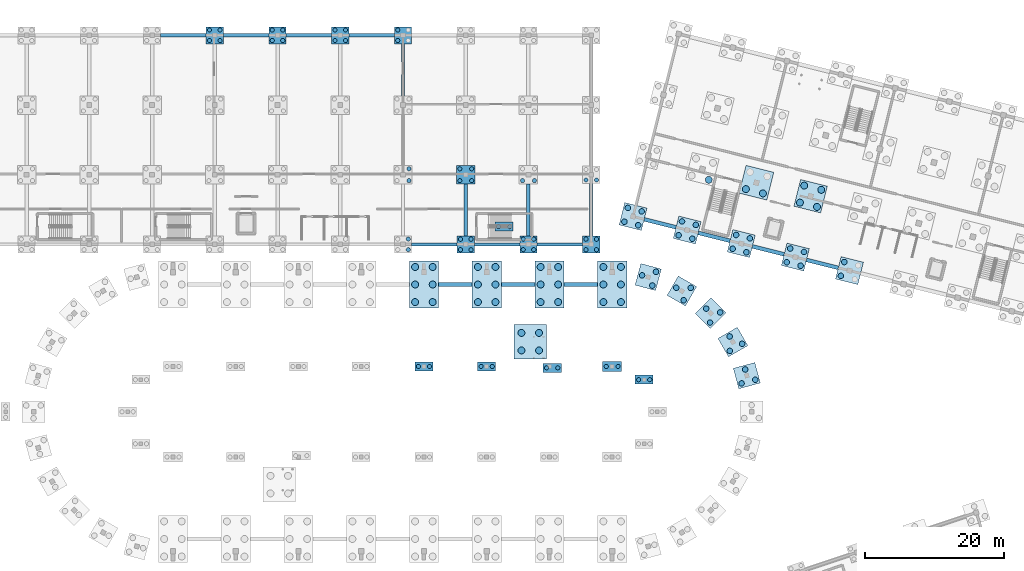
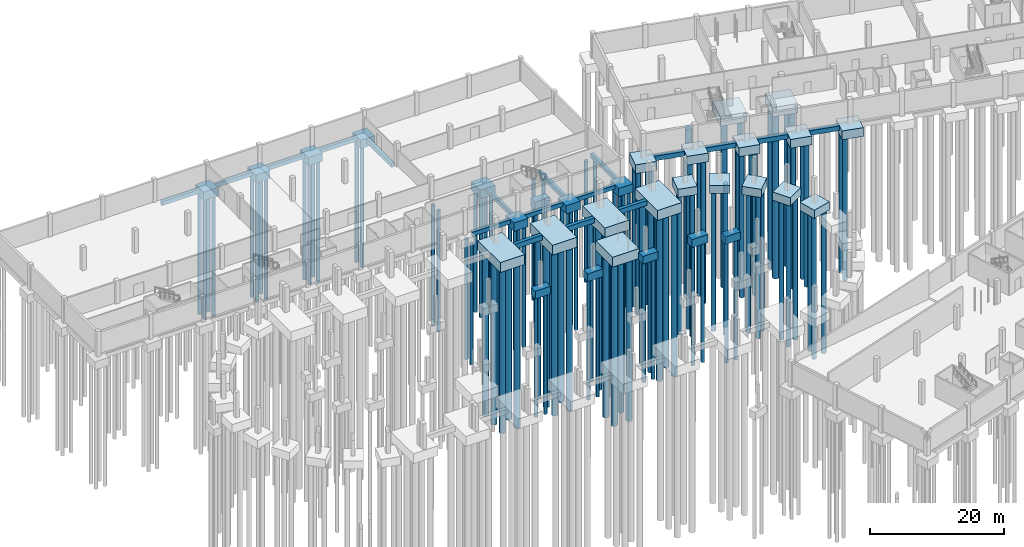
# One storey, part 4 of 36: 118 piles, 49 footings.
"""IFC4 building model written with IfcOpenShell, lengths in metres."""

from ifc_helpers import new_model, si_unit, derived_unit, direction, frame, origin, origin_2d, place, context, subcontext, project, spatial, rectangle, circle, extrude, material, material_profile, profile_set, type_object, element, save


model = new_model("IFC4")

# Units and contexts
model_context = context("Model", 3, precision=1e-05, world=origin(), true_north=direction((0.0, 1.0)))
body_context = subcontext(model_context, "Body", "Model", "MODEL_VIEW")
ifc_project = project(units=[si_unit("LENGTHUNIT", "METRE"), si_unit("AREAUNIT", "SQUARE_METRE"), si_unit("VOLUMEUNIT", "CUBIC_METRE"), si_unit("PLANEANGLEUNIT", "RADIAN"), si_unit("MASSUNIT", "GRAM", prefix="KILO"), si_unit("THERMODYNAMICTEMPERATUREUNIT", "KELVIN"), si_unit("TIMEUNIT", "SECOND"), derived_unit("THERMALTRANSMITTANCEUNIT", [(si_unit("MASSUNIT", "GRAM", prefix="KILO"), 1), (si_unit("THERMODYNAMICTEMPERATUREUNIT", "KELVIN"), -1), (si_unit("TIMEUNIT", "SECOND"), -3)])], contexts=[model_context])

# Site, building, storey
site_placement = place(None, origin())
site = spatial("IfcSite", under=ifc_project, at=site_placement, CompositionType="ELEMENT")
building_placement = place(site_placement, origin())
building = spatial("IfcBuilding", under=site, at=building_placement, Name="Cambertide Market Hall", CompositionType="ELEMENT")
storey_placement = place(building_placement, frame((0.0, 0.0, -4.199951171875)))
storey = spatial("IfcBuildingStorey", under=building, at=storey_placement, Name="B1", CompositionType="ELEMENT", Elevation=-4.199951171875)

# Piles
ifc_material_1 = material(Name="Concrete B35", Category="concrete")
ifc_material_profile_1 = material_profile(ifc_material_1, circle(Radius=0.5, at=origin_2d()), Name="BP D1000")
ifc_profile_set_1 = profile_set([ifc_material_profile_1], Name="Concrete B35")
pile_type_1 = type_object("IfcPileType", Name="Bored Pile BP-1000", PredefinedType="BORED", material=ifc_profile_set_1)
for number, where, z_axis, x_axis, name in (
    (1, (76.739990234375, 87.72998046875, -2.10009765625), (0.0, 0.0, -1.0), (1.0, 0.0, 0.0), "Basement 1 Bored Pile V1-N5-1"),
    (2, (79.260009765625, 87.72998046875, -2.10009765625), (0.0, 0.0, -1.0), (1.0, 0.0, 0.0), "Basement 1 Bored Pile V1-N5-2"),
    (3, (76.739990234375, 90.25, -2.10009765625), (0.0, 0.0, -1.0), (1.0, 0.0, 0.0), "Basement 1 Bored Pile V1-N5-3"),
    (4, (79.260009765625, 90.25, -2.10009765625), (0.0, 0.0, -1.0), (1.0, 0.0, 0.0), "Basement 1 Bored Pile V1-N5-4"),
    (5, (76.739990234375, 92.77001953125, -2.10009765625), (0.0, 0.0, -1.0), (1.0, 0.0, 0.0), "Basement 1 Bored Pile V1-N5-5"),
    (6, (79.260009765625, 92.77001953125, -2.10009765625), (0.0, 0.0, -1.0), (1.0, 0.0, 0.0), "Basement 1 Bored Pile V1-N5-6"),
    (7, (85.739990234375, 87.72998046875, -2.10009765625), (0.0, 0.0, -1.0), (1.0, 0.0, 0.0), "Basement 1 Bored Pile V1-N6-1"),
    (8, (88.260009765625, 87.72998046875, -2.10009765625), (0.0, 0.0, -1.0), (1.0, 0.0, 0.0), "Basement 1 Bored Pile V1-N6-2"),
    (9, (85.739990234375, 90.25, -2.10009765625), (0.0, 0.0, -1.0), (1.0, 0.0, 0.0), "Basement 1 Bored Pile V1-N6-3"),
    (10, (88.260009765625, 90.25, -2.10009765625), (0.0, 0.0, -1.0), (1.0, 0.0, 0.0), "Basement 1 Bored Pile V1-N6-4"),
    (11, (85.739990234375, 92.77001953125, -2.10009765625), (0.0, 0.0, -1.0), (1.0, 0.0, 0.0), "Basement 1 Bored Pile V1-N6-5"),
    (12, (88.260009765625, 92.77001953125, -2.10009765625), (0.0, 0.0, -1.0), (1.0, 0.0, 0.0), "Basement 1 Bored Pile V1-N6-6"),
    (13, (94.739990234375, 87.72998046875, -2.10009765625), (0.0, 0.0, -1.0), (1.0, 0.0, 0.0), "Basement 1 Bored Pile V1-N7-1"),
    (14, (97.260009765625, 87.72998046875, -2.10009765625), (0.0, 0.0, -1.0), (1.0, 0.0, 0.0), "Basement 1 Bored Pile V1-N7-2"),
    (15, (94.739990234375, 90.25, -2.10009765625), (0.0, 0.0, -1.0), (1.0, 0.0, 0.0), "Basement 1 Bored Pile V1-N7-3"),
    (16, (97.260009765625, 90.25, -2.10009765625), (0.0, 0.0, -1.0), (1.0, 0.0, 0.0), "Basement 1 Bored Pile V1-N7-4"),
    (17, (94.739990234375, 92.77001953125, -2.10009765625), (0.0, 0.0, -1.0), (1.0, 0.0, 0.0), "Basement 1 Bored Pile V1-N7-5"),
    (18, (97.260009765625, 92.77001953125, -2.10009765625), (0.0, 0.0, -1.0), (1.0, 0.0, 0.0), "Basement 1 Bored Pile V1-N7-6"),
    (19, (103.739990234375, 87.72998046875, -2.10009765625), (0.0, 0.0, -1.0), (1.0, 0.0, 0.0), "Basement 1 Bored Pile V1-N8-1"),
    (20, (106.260009765625, 87.72998046875, -2.10009765625), (0.0, 0.0, -1.0), (1.0, 0.0, 0.0), "Basement 1 Bored Pile V1-N8-2"),
    (21, (103.739990234375, 90.25, -2.10009765625), (0.0, 0.0, -1.0), (1.0, 0.0, 0.0), "Basement 1 Bored Pile V1-N8-3"),
    (22, (106.260009765625, 90.25, -2.10009765625), (0.0, 0.0, -1.0), (1.0, 0.0, 0.0), "Basement 1 Bored Pile V1-N8-4"),
    (23, (103.739990234375, 92.77001953125, -2.10009765625), (0.0, 0.0, -1.0), (1.0, 0.0, 0.0), "Basement 1 Bored Pile V1-N8-5"),
    (24, (106.260009765625, 92.77001953125, -2.10009765625), (0.0, 0.0, -1.0), (1.0, 0.0, 0.0), "Basement 1 Bored Pile V1-N8-6"),
    (25, (118.86083984375, 105.262939453125, -2.0), (0.0, 0.0, -1.0), (1.0, 0.0, 0.0), "Basement 1 Bored Pile V4-2-2-2"),
    (26, (124.17724609375, 103.933837890625, -2.10009765625), (0.0, 0.0, -1.0), (1.0, 0.0, 0.0), "Basement 1 Bored Pile V4-3-2-1"),
    (27, (126.621826171875, 103.32275390625, -2.10009765625), (0.0, 0.0, -1.0), (1.0, 0.0, 0.0), "Basement 1 Bored Pile V4-3-2-2"),
    (28, (131.938232421875, 101.99365234375, -2.0), (0.0, 0.0, -1.0), (1.0, 0.0, 0.0), "Basement 1 Bored Pile V4-4-2-1"),
    (29, (134.383056640625, 101.382568359375, -2.0), (0.0, 0.0, -1.0), (1.0, 0.0, 0.0), "Basement 1 Bored Pile V4-4-2-2"),
    (30, (132.549560546875, 104.4384765625, -2.0), (0.0, 0.0, -1.0), (1.0, 0.0, 0.0), "Basement 1 Bored Pile V4-4-2-3"),
    (31, (134.994140625, 103.8271484375, -2.0), (0.0, 0.0, -1.0), (1.0, 0.0, 0.0), "Basement 1 Bored Pile V4-4-2-4"),
    (32, (91.989990234375, 80.7900390625, -1.949951171875), (0.0, 0.0, -1.0), (1.0, 0.0, 0.0), "Basement 1 Feature Stair Bored Pile ST11-1"),
    (33, (94.510009765625, 80.7900390625, -1.949951171875), (0.0, 0.0, -1.0), (1.0, 0.0, 0.0), "Basement 1 Feature Stair Bored Pile ST11-2"),
    (34, (91.989990234375, 83.31005859375, -1.949951171875), (0.0, 0.0, -1.0), (1.0, 0.0, 0.0), "Basement 1 Feature Stair Bored Pile ST11-3"),
    (35, (94.510009765625, 83.31005859375, -1.949951171875), (0.0, 0.0, -1.0), (1.0, 0.0, 0.0), "Basement 1 Feature Stair Bored Pile ST11-4"),
):
    element("IfcPile", number, at=place(storey_placement, frame(where, z_axis=z_axis, x_axis=x_axis)), inside=storey, type_object=pile_type_1, Name=name, PredefinedType="BORED", context=body_context, shape_type="SweptSolid", body=[
        extrude(circle(Radius=0.5, at=origin_2d()), origin(), (0.0, 0.0, 1.0), 29.800048828125),
    ])
ifc_material_2 = material(Name="Concrete B35", Category="concrete")
ifc_material_profile_2 = material_profile(ifc_material_2, circle(Radius=0.300048828125, at=origin_2d()), Name="BP D600")
ifc_profile_set_2 = profile_set([ifc_material_profile_2], Name="Concrete B35")
pile_type_2 = type_object("IfcPileType", Name="Bored Pile BP-600", PredefinedType="BORED", material=ifc_profile_set_2)
for number, where, z_axis, x_axis, name in (
    (36, (77.199951171875, 78.5, -1.699951171875), (0.0, 0.0, -1.0), (1.0, 0.0, 0.0), "Basement 1 Bored Pile V1-MN5-1"),
    (37, (78.800048828125, 78.5, -1.699951171875), (0.0, 0.0, -1.0), (1.0, 0.0, 0.0), "Basement 1 Bored Pile V1-MN5-2"),
    (38, (86.199951171875, 78.5, -1.699951171875), (0.0, 0.0, -1.0), (1.0, 0.0, 0.0), "Basement 1 Bored Pile V1-MN6-1"),
    (39, (87.800048828125, 78.5, -1.699951171875), (0.0, 0.0, -1.0), (1.0, 0.0, 0.0), "Basement 1 Bored Pile V1-MN6-2"),
    (40, (95.60009765625, 78.300048828125, -1.699951171875), (0.0, 0.0, -1.0), (1.0, 0.0, 0.0), "Basement 1 Bored Pile V1-MN7-1"),
    (41, (97.199951171875, 78.300048828125, -1.699951171875), (0.0, 0.0, -1.0), (1.0, 0.0, 0.0), "Basement 1 Bored Pile V1-MN7-2"),
    (42, (104.14990234375, 78.5, -1.75), (0.0, 0.0, -1.0), (1.0, 0.0, 0.0), "Basement 1 Bored Pile V1-MN8-1"),
    (43, (105.85009765625, 78.5, -1.75), (0.0, 0.0, -1.0), (1.0, 0.0, 0.0), "Basement 1 Bored Pile V1-MN8-2"),
    (44, (108.796142578125, 76.59619140625, -1.699951171875), (0.0, 0.0, -1.0), (1.0, 0.0, 0.0), "Basement 1 Bored Pile V1-ME18-1"),
    (45, (110.396240234375, 76.59619140625, -1.699951171875), (0.0, 0.0, -1.0), (1.0, 0.0, 0.0), "Basement 1 Bored Pile V1-ME18-2"),
    (46, (47.2451171875, 125.2451171875, -1.800048828125), (0.0, 0.0, -1.0), (1.0, 0.0, 0.0), "Basement 1 Bored Pile V2-5-4-1"),
    (47, (48.7548828125, 125.2451171875, -1.800048828125), (0.0, 0.0, -1.0), (1.0, 0.0, 0.0), "Basement 1 Bored Pile V2-5-4-2"),
    (48, (47.2451171875, 126.7548828125, -1.800048828125), (0.0, 0.0, -1.0), (1.0, 0.0, 0.0), "Basement 1 Bored Pile V2-5-4-3"),
    (49, (48.7548828125, 126.7548828125, -1.800048828125), (0.0, 0.0, -1.0), (1.0, 0.0, 0.0), "Basement 1 Bored Pile V2-5-4-4"),
    (50, (56.2451171875, 125.2451171875, -1.800048828125), (0.0, 0.0, -1.0), (1.0, 0.0, 0.0), "Basement 1 Bored Pile V2-6-4-1"),
    (51, (57.7548828125, 125.2451171875, -1.800048828125), (0.0, 0.0, -1.0), (1.0, 0.0, 0.0), "Basement 1 Bored Pile V2-6-4-2"),
    (52, (56.2451171875, 126.7548828125, -1.800048828125), (0.0, 0.0, -1.0), (1.0, 0.0, 0.0), "Basement 1 Bored Pile V2-6-4-3"),
    (53, (57.7548828125, 126.7548828125, -1.800048828125), (0.0, 0.0, -1.0), (1.0, 0.0, 0.0), "Basement 1 Bored Pile V2-6-4-4"),
    (54, (65.2451171875, 125.2451171875, -1.800048828125), (0.0, 0.0, -1.0), (1.0, 0.0, 0.0), "Basement 1 Bored Pile V2-7-4-1"),
    (55, (66.7548828125, 125.2451171875, -1.800048828125), (0.0, 0.0, -1.0), (1.0, 0.0, 0.0), "Basement 1 Bored Pile V2-7-4-2"),
    (56, (65.2451171875, 126.7548828125, -1.800048828125), (0.0, 0.0, -1.0), (1.0, 0.0, 0.0), "Basement 1 Bored Pile V2-7-4-3"),
    (57, (66.7548828125, 126.7548828125, -1.800048828125), (0.0, 0.0, -1.0), (1.0, 0.0, 0.0), "Basement 1 Bored Pile V2-7-4-4"),
    (58, (75.7548828125, 95.2451171875, -1.800048828125), (0.0, 0.0, -1.0), (1.0, 0.0, 0.0), "Basement 1 Bored Pile V2-8-1-2"),
    (59, (75.7548828125, 96.7548828125, -1.800048828125), (0.0, 0.0, -1.0), (1.0, 0.0, 0.0), "Basement 1 Bored Pile V2-8-1-4"),
    (60, (75.85009765625, 105.14990234375, -1.85009765625), (0.0, 0.0, -1.0), (1.0, 0.0, 0.0), "Basement 1 Bored Pile V2-8-2-2"),
    (61, (75.85009765625, 106.85009765625, -1.85009765625), (0.0, 0.0, -1.0), (1.0, 0.0, 0.0), "Basement 1 Bored Pile V2-8-2-4"),
    (62, (74.2451171875, 125.2451171875, -1.800048828125), (0.0, 0.0, -1.0), (1.0, 0.0, 0.0), "Basement 1 Bored Pile V2-8-4-1"),
    (63, (74.2451171875, 126.7548828125, -1.800048828125), (0.0, 0.0, -1.0), (1.0, 0.0, 0.0), "Basement 1 Bored Pile V2-8-4-3"),
    (64, (83.2451171875, 95.2451171875, -1.800048828125), (0.0, 0.0, -1.0), (1.0, 0.0, 0.0), "Basement 1 Bored Pile V2-9-1-1"),
    (65, (84.7548828125, 95.2451171875, -1.800048828125), (0.0, 0.0, -1.0), (1.0, 0.0, 0.0), "Basement 1 Bored Pile V2-9-1-2"),
    (66, (83.2451171875, 96.7548828125, -1.800048828125), (0.0, 0.0, -1.0), (1.0, 0.0, 0.0), "Basement 1 Bored Pile V2-9-1-3"),
    (67, (84.7548828125, 96.7548828125, -1.800048828125), (0.0, 0.0, -1.0), (1.0, 0.0, 0.0), "Basement 1 Bored Pile V2-9-1-4"),
    (68, (83.14990234375, 105.14990234375, -1.85009765625), (0.0, 0.0, -1.0), (1.0, 0.0, 0.0), "Basement 1 Bored Pile V2-9-2-1"),
    (69, (84.85009765625, 105.14990234375, -1.85009765625), (0.0, 0.0, -1.0), (1.0, 0.0, 0.0), "Basement 1 Bored Pile V2-9-2-2"),
    (70, (83.14990234375, 106.85009765625, -1.85009765625), (0.0, 0.0, -1.0), (1.0, 0.0, 0.0), "Basement 1 Bored Pile V2-9-2-3"),
    (71, (84.85009765625, 106.85009765625, -1.85009765625), (0.0, 0.0, -1.0), (1.0, 0.0, 0.0), "Basement 1 Bored Pile V2-9-2-4"),
    (72, (92.2451171875, 95.2451171875, -1.800048828125), (0.0, 0.0, -1.0), (1.0, 0.0, 0.0), "Basement 1 Bored Pile V2-10-1-1"),
    (73, (93.7548828125, 95.2451171875, -1.800048828125), (0.0, 0.0, -1.0), (1.0, 0.0, 0.0), "Basement 1 Bored Pile V2-10-1-2"),
    (74, (92.2451171875, 96.7548828125, -1.800048828125), (0.0, 0.0, -1.0), (1.0, 0.0, 0.0), "Basement 1 Bored Pile V2-10-1-3"),
    (75, (93.7548828125, 96.7548828125, -1.800048828125), (0.0, 0.0, -1.0), (1.0, 0.0, 0.0), "Basement 1 Bored Pile V2-10-1-4"),
    (76, (92.14990234375, 105.14990234375, -1.85009765625), (0.0, 0.0, -1.0), (1.0, 0.0, 0.0), "Basement 1 Bored Pile V2-10-2-1"),
    (77, (93.85009765625, 105.14990234375, -1.85009765625), (0.0, 0.0, -1.0), (1.0, 0.0, 0.0), "Basement 1 Bored Pile V2-10-2-2"),
    (78, (101.2451171875, 95.2451171875, -1.800048828125), (0.0, 0.0, -1.0), (1.0, 0.0, 0.0), "Basement 1 Bored Pile V2-11-1-1"),
    (79, (102.7548828125, 95.2451171875, -1.800048828125), (0.0, 0.0, -1.0), (1.0, 0.0, 0.0), "Basement 1 Bored Pile V2-11-1-2"),
    (80, (101.2451171875, 96.7548828125, -1.800048828125), (0.0, 0.0, -1.0), (1.0, 0.0, 0.0), "Basement 1 Bored Pile V2-11-1-3"),
    (81, (102.7548828125, 96.7548828125, -1.800048828125), (0.0, 0.0, -1.0), (1.0, 0.0, 0.0), "Basement 1 Bored Pile V2-11-1-4"),
    (82, (101.2451171875, 105.2451171875, -1.800048828125), (0.0, 0.0, -1.0), (1.0, 0.0, 0.0), "Basement 1 Bored Pile V2-11-2-1"),
    (83, (102.7548828125, 105.2451171875, -1.800048828125), (0.0, 0.0, -1.0), (1.0, 0.0, 0.0), "Basement 1 Bored Pile V2-11-2-2"),
    (84, (88.699951171875, 98.550048828125, -1.699951171875), (0.0, 0.0, -1.0), (1.0, 0.0, 0.0), "Basement 1 Bored Pile ST04-SUP-1"),
    (85, (90.300048828125, 98.550048828125, -1.699951171875), (0.0, 0.0, -1.0), (1.0, 0.0, 0.0), "Basement 1 Bored Pile ST04-SUP-2"),
):
    element("IfcPile", number, at=place(storey_placement, frame(where, z_axis=z_axis, x_axis=x_axis)), inside=storey, type_object=pile_type_2, Name=name, PredefinedType="BORED", context=body_context, shape_type="SweptSolid", body=[
        extrude(circle(Radius=0.300048828125, at=origin_2d()), origin(), (0.0, 0.0, 1.0), 22.0),
    ])
ifc_material_3 = material(Name="Concrete B35", Category="concrete")
ifc_material_profile_3 = material_profile(ifc_material_3, circle(Radius=0.39990234375, at=origin_2d()), Name="BP D800")
ifc_profile_set_3 = profile_set([ifc_material_profile_3], Name="Concrete B35")
pile_type_3 = type_object("IfcPileType", Name="Bored Pile BP-800", PredefinedType="BORED", material=ifc_profile_set_3)
for number, where, z_axis, x_axis, name in (
    (86, (123.56103515625, 76.062255859375, -1.800048828125), (0.0, 0.0, -1.0), (1.0, 0.0, 0.0), "Basement 1 Bored Pile V1-AE14-1"),
    (87, (125.531494140625, 76.59033203125, -1.800048828125), (0.0, 0.0, -1.0), (1.0, 0.0, 0.0), "Basement 1 Bored Pile V1-AE14-2"),
    (88, (124.080322265625, 78.06494140625, -1.800048828125), (0.0, 0.0, -1.0), (1.0, 0.0, 0.0), "Basement 1 Bored Pile V1-AE14-3"),
    (89, (121.877197265625, 80.727783203125, -1.800048828125), (0.0, 0.0, -1.0), (1.0, 0.0, 0.0), "Basement 1 Bored Pile V1-AE16-1"),
    (90, (123.643798828125, 81.747802734375, -1.800048828125), (0.0, 0.0, -1.0), (1.0, 0.0, 0.0), "Basement 1 Bored Pile V1-AE16-2"),
    (91, (121.860595703125, 82.796630859375, -1.800048828125), (0.0, 0.0, -1.0), (1.0, 0.0, 0.0), "Basement 1 Bored Pile V1-AE16-3"),
    (92, (119.043212890625, 84.798583984375, -1.800048828125), (0.0, 0.0, -1.0), (1.0, 0.0, 0.0), "Basement 1 Bored Pile V1-AE18-1"),
    (93, (120.485595703125, 86.2412109375, -1.800048828125), (0.0, 0.0, -1.0), (1.0, 0.0, 0.0), "Basement 1 Bored Pile V1-AE18-2"),
    (94, (118.49169921875, 86.792724609375, -1.800048828125), (0.0, 0.0, -1.0), (1.0, 0.0, 0.0), "Basement 1 Bored Pile V1-AE18-3"),
    (95, (115.252197265625, 87.9970703125, -1.800048828125), (0.0, 0.0, -1.0), (1.0, 0.0, 0.0), "Basement 1 Bored Pile V1-AE20-1"),
    (96, (116.272216796875, 89.763916015625, -1.800048828125), (0.0, 0.0, -1.0), (1.0, 0.0, 0.0), "Basement 1 Bored Pile V1-AE20-2"),
    (97, (114.203369140625, 89.780517578125, -1.800048828125), (0.0, 0.0, -1.0), (1.0, 0.0, 0.0), "Basement 1 Bored Pile V1-AE20-3"),
    (98, (110.762451171875, 90.10546875, -1.800048828125), (0.0, 0.0, -1.0), (1.0, 0.0, 0.0), "Basement 1 Bored Pile V1-AE22-1"),
    (99, (111.290283203125, 92.075927734375, -1.800048828125), (0.0, 0.0, -1.0), (1.0, 0.0, 0.0), "Basement 1 Bored Pile V1-AE22-2"),
    (100, (109.287841796875, 91.556640625, -1.800048828125), (0.0, 0.0, -1.0), (1.0, 0.0, 0.0), "Basement 1 Bored Pile V1-AE22-3"),
    (101, (106.76318359375, 99.2578125, -1.900146484375), (0.0, 0.0, -1.0), (1.0, 0.0, 0.0), "Basement 1 Bored Pile V4-1-1-1"),
    (102, (108.7421875, 98.76318359375, -1.900146484375), (0.0, 0.0, -1.0), (1.0, 0.0, 0.0), "Basement 1 Bored Pile V4-1-1-2"),
    (103, (107.2578125, 101.23681640625, -1.900146484375), (0.0, 0.0, -1.0), (1.0, 0.0, 0.0), "Basement 1 Bored Pile V4-1-1-3"),
    (104, (109.23681640625, 100.7421875, -1.900146484375), (0.0, 0.0, -1.0), (1.0, 0.0, 0.0), "Basement 1 Bored Pile V4-1-1-4"),
    (105, (114.524169921875, 97.317626953125, -1.900146484375), (0.0, 0.0, -1.0), (1.0, 0.0, 0.0), "Basement 1 Bored Pile V4-2-1-1"),
    (106, (116.50341796875, 96.82275390625, -1.900146484375), (0.0, 0.0, -1.0), (1.0, 0.0, 0.0), "Basement 1 Bored Pile V4-2-1-2"),
    (107, (115.01904296875, 99.296630859375, -1.900146484375), (0.0, 0.0, -1.0), (1.0, 0.0, 0.0), "Basement 1 Bored Pile V4-2-1-3"),
    (108, (116.998046875, 98.8017578125, -1.900146484375), (0.0, 0.0, -1.0), (1.0, 0.0, 0.0), "Basement 1 Bored Pile V4-2-1-4"),
    (109, (122.285400390625, 95.377197265625, -1.900146484375), (0.0, 0.0, -1.0), (1.0, 0.0, 0.0), "Basement 1 Bored Pile V4-3-1-1"),
    (110, (124.264404296875, 94.882568359375, -1.900146484375), (0.0, 0.0, -1.0), (1.0, 0.0, 0.0), "Basement 1 Bored Pile V4-3-1-2"),
    (111, (122.780029296875, 97.3564453125, -1.900146484375), (0.0, 0.0, -1.0), (1.0, 0.0, 0.0), "Basement 1 Bored Pile V4-3-1-3"),
    (112, (124.75927734375, 96.861572265625, -1.900146484375), (0.0, 0.0, -1.0), (1.0, 0.0, 0.0), "Basement 1 Bored Pile V4-3-1-4"),
    (113, (130.04638671875, 93.43701171875, -1.900146484375), (0.0, 0.0, -1.0), (1.0, 0.0, 0.0), "Basement 1 Bored Pile V4-4-1-1"),
    (114, (132.025634765625, 92.942138671875, -1.900146484375), (0.0, 0.0, -1.0), (1.0, 0.0, 0.0), "Basement 1 Bored Pile V4-4-1-2"),
    (115, (130.541259765625, 95.416015625, -1.900146484375), (0.0, 0.0, -1.0), (1.0, 0.0, 0.0), "Basement 1 Bored Pile V4-4-1-3"),
    (116, (132.520263671875, 94.92138671875, -1.900146484375), (0.0, 0.0, -1.0), (1.0, 0.0, 0.0), "Basement 1 Bored Pile V4-4-1-4"),
    (117, (137.8076171875, 91.49658203125, -1.900146484375), (0.0, 0.0, -1.0), (1.0, 0.0, 0.0), "Basement 1 Bored Pile V4-5-1-1"),
    (118, (138.302490234375, 93.475830078125, -1.900146484375), (0.0, 0.0, -1.0), (1.0, 0.0, 0.0), "Basement 1 Bored Pile V4-5-1-3"),
):
    element("IfcPile", number, at=place(storey_placement, frame(where, z_axis=z_axis, x_axis=x_axis)), inside=storey, type_object=pile_type_3, Name=name, PredefinedType="BORED", context=body_context, shape_type="SweptSolid", body=[
        extrude(circle(Radius=0.39990234375, at=origin_2d()), origin(), (0.0, 0.0, 1.0), 26.0),
    ])

# Footings
ifc_material_4 = material(Name="Concrete B35", Category="concrete")
footing_type_1 = type_object("IfcFootingType", Name="Concrete Pile Cap PC-02", PredefinedType="PILE_CAP", material=ifc_material_4)
for number, where, z_axis, x_axis, name in (
    (119, (78.0, 78.5, -1.800048828125), (0.0, 0.0, 1.0), (1.0, 0.0, 0.0), "Basement 1 Pile Cap V1-MN5"),
    (120, (87.0, 78.5, -1.800048828125), (0.0, 0.0, 1.0), (1.0, 0.0, 0.0), "Basement 1 Pile Cap V1-MN6"),
    (121, (96.39990234375, 78.300048828125, -1.800048828125), (0.0, 0.0, 1.0), (1.0, 0.0, 0.0), "Basement 1 Pile Cap V1-MN7"),
    (122, (109.59619140625, 76.59619140625, -1.800048828125), (0.0, 0.0, 1.0), (1.0, 0.0, 0.0), "Basement 1 Pile Cap V1-ME18"),
    (123, (89.5, 98.550048828125, -1.800048828125), (0.0, 0.0, 1.0), (1.0, 0.0, 0.0), "Basement 1 Pile Cap ST04-SUP"),
):
    element("IfcFooting", number, at=place(storey_placement, frame(where, z_axis=z_axis, x_axis=x_axis)), inside=storey, type_object=footing_type_1, Name=name, PredefinedType="PILE_CAP", context=body_context, shape_type="SweptSolid", body=[
        extrude(rectangle(XDim=2.60009765625, YDim=1.300048828125, at=origin_2d()), origin(), (0.0, 0.0, 1.0), 1.39990234375),
    ])
ifc_material_5 = material(Name="Concrete B35", Category="concrete")
footing_type_2 = type_object("IfcFootingType", Name="Concrete Pile Cap PC-02B", PredefinedType="PILE_CAP", material=ifc_material_5)
footing_1_placement = place(storey_placement, frame((105.0, 78.5, -1.85009765625), z_axis=(0.0, 0.0, 1.0), x_axis=(1.0, 0.0, 0.0)))
element("IfcFooting", 124, at=footing_1_placement, inside=storey, type_object=footing_type_2, Name="Basement 1 Pile Cap V1-MN8", PredefinedType="PILE_CAP", context=body_context, shape_type="SweptSolid", body=[
    extrude(rectangle(XDim=2.75, YDim=1.39990234375, at=origin_2d()), origin(), (0.0, 0.0, 1.0), 1.449951171875),
])
ifc_material_6 = material(Name="Concrete B35", Category="concrete")
footing_type_3 = type_object("IfcFootingType", Name="Concrete Pile Cap PC-03", PredefinedType="PILE_CAP", material=ifc_material_6)
for number, where, z_axis, x_axis, name in (
    (125, (124.318603515625, 77.17626953125, -1.900146484375), (0.0, 0.0, 1.0), (0.965925826289, 0.258819045103, 0.0), "Basement 1 Pile Cap V1-AE14"),
    (126, (122.320556640625, 82.0, -1.900146484375), (0.0, 0.0, 1.0), (0.866025403784, 0.5, 0.0), "Basement 1 Pile Cap V1-AE16"),
    (127, (119.14208984375, 86.14208984375, -1.900146484375), (0.0, 0.0, 1.0), (0.707106781187, 0.707106781187, 0.0), "Basement 1 Pile Cap V1-AE18"),
    (128, (115.0, 89.320556640625, -1.900146484375), (0.0, 0.0, 1.0), (0.5, 0.866025403784, 0.0), "Basement 1 Pile Cap V1-AE20"),
    (129, (110.17626953125, 91.318603515625, -1.900146484375), (0.0, 0.0, 1.0), (0.258819045103, 0.965925826289, 0.0), "Basement 1 Pile Cap V1-AE22"),
):
    element("IfcFooting", number, at=place(storey_placement, frame(where, z_axis=z_axis, x_axis=x_axis)), inside=storey, type_object=footing_type_3, Name=name, PredefinedType="PILE_CAP", context=body_context, shape_type="SweptSolid", body=[
        extrude(rectangle(XDim=3.199951171875, YDim=3.0400390625, at=origin_2d()), origin(), (0.0, 0.0, 1.0), 1.5),
    ])
ifc_material_7 = material(Name="Concrete B35", Category="concrete")
footing_type_4 = type_object("IfcFootingType", Name="Concrete Pile Cap PC-04A", PredefinedType="PILE_CAP", material=ifc_material_7)
for number, where, z_axis, x_axis, name in (
    (130, (48.0, 126.0, -1.900146484375), (0.0, 0.0, 1.0), (1.0, 0.0, 0.0), "Basement 1 Pile Cap V2-5-4"),
    (131, (57.0, 126.0, -1.900146484375), (0.0, 0.0, 1.0), (1.0, 0.0, 0.0), "Basement 1 Pile Cap V2-6-4"),
    (132, (66.0, 126.0, -1.900146484375), (0.0, 0.0, 1.0), (1.0, 0.0, 0.0), "Basement 1 Pile Cap V2-7-4"),
    (133, (75.0, 126.0, -1.900146484375), (0.0, 0.0, 1.0), (1.0, 0.0, 0.0), "Basement 1 Pile Cap V2-8-4"),
    (134, (84.0, 96.0, -1.900146484375), (0.0, 0.0, 1.0), (1.0, 0.0, 0.0), "Basement 1 Pile Cap V2-9-1"),
    (135, (93.0, 96.0, -1.900146484375), (0.0, 0.0, 1.0), (1.0, 0.0, 0.0), "Basement 1 Pile Cap V2-10-1"),
    (136, (102.0, 96.0, -1.900146484375), (0.0, 0.0, 1.0), (1.0, 0.0, 0.0), "Basement 1 Pile Cap V2-11-1"),
):
    element("IfcFooting", number, at=place(storey_placement, frame(where, z_axis=z_axis, x_axis=x_axis)), inside=storey, type_object=footing_type_4, Name=name, PredefinedType="PILE_CAP", context=body_context, shape_type="SweptSolid", body=[
        extrude(rectangle(XDim=2.449951171875, YDim=2.449951171875, at=origin_2d()), origin(), (0.0, 0.0, 1.0), 1.5),
    ])
ifc_material_8 = material(Name="Concrete B35", Category="concrete")
footing_type_5 = type_object("IfcFootingType", Name="Concrete Pile Cap PC-04B", PredefinedType="PILE_CAP", material=ifc_material_8)
for number, where, z_axis, x_axis, name in (
    (137, (108.0, 100.0, -2.0), (0.0, 0.0, 1.0), (0.970142500145, -0.242535625038, 0.0), "Basement 1 Pile Cap V4-1-1"),
    (138, (115.76123046875, 98.059814453125, -2.0), (0.0, 0.0, 1.0), (0.970142500145, -0.242535625038, 0.0), "Basement 1 Pile Cap V4-2-1"),
    (139, (123.522216796875, 96.119384765625, -2.0), (0.0, 0.0, 1.0), (0.970142500145, -0.242535625038, 0.0), "Basement 1 Pile Cap V4-3-1"),
    (140, (131.283447265625, 94.17919921875, -2.0), (0.0, 0.0, 1.0), (0.970142500145, -0.242535625038, 0.0), "Basement 1 Pile Cap V4-4-1"),
    (141, (139.044677734375, 92.23876953125, -2.0), (0.0, 0.0, 1.0), (0.970142500145, -0.242535625038, 0.0), "Basement 1 Pile Cap V4-5-1"),
):
    element("IfcFooting", number, at=place(storey_placement, frame(where, z_axis=z_axis, x_axis=x_axis)), inside=storey, type_object=footing_type_5, Name=name, PredefinedType="PILE_CAP", context=body_context, shape_type="SweptSolid", body=[
        extrude(rectangle(XDim=3.300048828125, YDim=3.300048828125, at=origin_2d()), origin(), (0.0, 0.0, 1.0), 1.60009765625),
    ])
ifc_material_9 = material(Name="Concrete B35", Category="concrete")
footing_type_6 = type_object("IfcFootingType", Name="Concrete Pile Cap PC-04C", PredefinedType="PILE_CAP", material=ifc_material_9)
footing_2_placement = place(storey_placement, frame((125.705078125, 104.850830078125, -2.2001953125), z_axis=(0.0, 0.0, 1.0), x_axis=(0.970142500145, -0.242535625038, 0.0)))
element("IfcFooting", 142, at=footing_2_placement, inside=storey, type_object=footing_type_6, Name="Basement 1 Pile Cap V4-3-2", PredefinedType="PILE_CAP", context=body_context, shape_type="SweptSolid", body=[
    extrude(rectangle(XDim=4.10009765625, YDim=4.10009765625, at=origin_2d()), origin(), (0.0, 0.0, 1.0), 1.800048828125),
])
ifc_material_10 = material(Name="Concrete B35", Category="concrete")
footing_type_7 = type_object("IfcFootingType", Name="Concrete Pile Cap PC-04D", PredefinedType="PILE_CAP", material=ifc_material_10)
footing_3_placement = place(storey_placement, frame((84.0, 106.0, -1.9501953125), z_axis=(0.0, 0.0, 1.0), x_axis=(1.0, 0.0, 0.0)))
element("IfcFooting", 143, at=footing_3_placement, inside=storey, type_object=footing_type_7, Name="Basement 1 Pile Cap V2-9-2", PredefinedType="PILE_CAP", context=body_context, shape_type="SweptSolid", body=[
    extrude(rectangle(XDim=2.64990234375, YDim=2.64990234375, at=origin_2d()), origin(), (0.0, 0.0, 1.0), 1.550048828125),
])
ifc_material_11 = material(Name="Concrete B35", Category="concrete")
footing_type_8 = type_object("IfcFootingType", Name="Concrete Pile Cap PC-04E", PredefinedType="PILE_CAP", material=ifc_material_11)
footing_4_placement = place(storey_placement, frame((133.46630859375, 102.910400390625, -2.10009765625), z_axis=(0.0, 0.0, 1.0), x_axis=(0.970142500145, -0.242535625038, 0.0)))
element("IfcFooting", 144, at=footing_4_placement, inside=storey, type_object=footing_type_8, Name="Basement 1 Pile Cap V4-4-2", PredefinedType="PILE_CAP", context=body_context, shape_type="SweptSolid", body=[
    extrude(rectangle(XDim=3.949951171875, YDim=3.949951171875, at=origin_2d()), origin(), (0.0, 0.0, 1.0), 1.699951171875),
])
ifc_material_12 = material(Name="Concrete B35", Category="concrete")
footing_type_9 = type_object("IfcFootingType", Name="Concrete Pile Cap PC-04F", PredefinedType="PILE_CAP", material=ifc_material_12)
footing_5_placement = place(storey_placement, frame((93.25, 82.050048828125, -2.05029296875), z_axis=(0.0, 0.0, 1.0), x_axis=(1.0, 0.0, 0.0)))
element("IfcFooting", 145, at=footing_5_placement, inside=storey, type_object=footing_type_9, Name="Basement 1 Feature Stair Pile Cap ST11", PredefinedType="PILE_CAP", context=body_context, shape_type="SweptSolid", body=[
    extrude(rectangle(XDim=4.60009765625, YDim=5.0, at=origin_2d()), origin(), (0.0, 0.0, 1.0), 1.800048828125),
])
ifc_material_13 = material(Name="Concrete B35", Category="concrete")
footing_type_10 = type_object("IfcFootingType", Name="Concrete Pile Cap PC-06", PredefinedType="PILE_CAP", material=ifc_material_13)
for number, where, z_axis, x_axis, name in (
    (146, (78.0, 90.25, -2.2001953125), (0.0, 0.0, 1.0), (1.0, 0.0, 0.0), "Basement 1 Pile Cap V1-N5"),
    (147, (87.0, 90.25, -2.2001953125), (0.0, 0.0, 1.0), (1.0, 0.0, 0.0), "Basement 1 Pile Cap V1-N6"),
    (148, (96.0, 90.25, -2.2001953125), (0.0, 0.0, 1.0), (1.0, 0.0, 0.0), "Basement 1 Pile Cap V1-N7"),
    (149, (105.0, 90.25, -2.2001953125), (0.0, 0.0, 1.0), (1.0, 0.0, 0.0), "Basement 1 Pile Cap V1-N8"),
):
    element("IfcFooting", number, at=place(storey_placement, frame(where, z_axis=z_axis, x_axis=x_axis)), inside=storey, type_object=footing_type_10, Name=name, PredefinedType="PILE_CAP", context=body_context, shape_type="SweptSolid", body=[
        extrude(rectangle(XDim=4.199951171875, YDim=6.699951171875, at=origin_2d()), origin(), (0.0, 0.0, 1.0), 1.800048828125),
    ])
ifc_material_14 = material(Name="Concrete B35", Category="concrete")
footing_type_11 = type_object("IfcFootingType", Name="Foundation Tie Beam FB-01", PredefinedType="FOOTING_BEAM", material=ifc_material_14)
for number, where, z_axis, x_axis, name in (
    (150, (75.0, 121.050048828125, -1.2001953125), (0.0, 0.0, 1.0), (0.0, 1.0, 0.0), "Basement 1 Foundation Tie Beam FB-V2Y-8-3"),
    (151, (84.0, 100.949951171875, -1.2001953125), (0.0, 0.0, 1.0), (0.0, 1.0, 0.0), "Basement 1 Foundation Tie Beam FB-V2Y-9-1"),
    (152, (93.0, 100.949951171875, -1.2001953125), (0.0, 0.0, 1.0), (0.0, 1.0, 0.0), "Basement 1 Foundation Tie Beam FB-V2Y-10-1"),
):
    element("IfcFooting", number, at=place(storey_placement, frame(where, z_axis=z_axis, x_axis=x_axis)), inside=storey, type_object=footing_type_11, Name=name, PredefinedType="FOOTING_BEAM", context=body_context, shape_type="SweptSolid", body=[
        extrude(rectangle(XDim=7.449951171875, YDim=0.5, at=origin_2d()), origin(), (0.0, 0.0, 1.0), 0.800048828125),
    ])
footing_6_placement = place(storey_placement, frame((102.0, 101.0, -1.2001953125), z_axis=(0.0, 0.0, 1.0), x_axis=(0.0, 1.0, 0.0)))
element("IfcFooting", 153, at=footing_6_placement, inside=storey, type_object=footing_type_11, Name="Basement 1 Foundation Tie Beam FB-V2Y-11-1", PredefinedType="FOOTING_BEAM", context=body_context, shape_type="SweptSolid", body=[
    extrude(rectangle(XDim=7.550048828125, YDim=0.5, at=origin_2d()), origin(), (0.0, 0.0, 1.0), 0.800048828125),
])
ifc_material_15 = material(Name="Concrete B35", Category="concrete")
footing_type_12 = type_object("IfcFootingType", Name="Foundation Tie Beam FB-02", PredefinedType="FOOTING_BEAM", material=ifc_material_15)
for number, where, z_axis, x_axis, name in (
    (154, (82.5, 90.25, -1.300048828125), (0.0, 0.0, 1.0), (1.0, 0.0, 0.0), "Basement 1 Foundation Tie Beam FB-V1N-5"),
    (155, (91.5, 90.25, -1.300048828125), (0.0, 0.0, 1.0), (1.0, 0.0, 0.0), "Basement 1 Foundation Tie Beam FB-V1N-6"),
    (156, (100.5, 90.25, -1.300048828125), (0.0, 0.0, 1.0), (1.0, 0.0, 0.0), "Basement 1 Foundation Tie Beam FB-V1N-7"),
):
    element("IfcFooting", number, at=place(storey_placement, frame(where, z_axis=z_axis, x_axis=x_axis)), inside=storey, type_object=footing_type_12, Name=name, PredefinedType="FOOTING_BEAM", context=body_context, shape_type="SweptSolid", body=[
        extrude(rectangle(XDim=4.800048828125, YDim=0.60009765625, at=origin_2d()), origin(), (0.0, 0.0, 1.0), 0.89990234375),
    ])
ifc_material_16 = material(Name="Concrete B35", Category="concrete")
footing_type_13 = type_object("IfcFootingType", Name="Foundation Tie Beam FB-03", PredefinedType="FOOTING_BEAM", material=ifc_material_16)
for number, where, z_axis, x_axis, name in (
    (157, (43.5, 126.0, -1.150146484375), (0.0, 0.0, 1.0), (1.0, 0.0, 0.0), "Basement 1 Foundation Tie Beam FB-V2X-4-4"),
    (158, (52.5, 126.0, -1.150146484375), (0.0, 0.0, 1.0), (1.0, 0.0, 0.0), "Basement 1 Foundation Tie Beam FB-V2X-5-4"),
    (159, (61.5, 126.0, -1.150146484375), (0.0, 0.0, 1.0), (1.0, 0.0, 0.0), "Basement 1 Foundation Tie Beam FB-V2X-6-4"),
    (160, (70.5, 126.0, -1.150146484375), (0.0, 0.0, 1.0), (1.0, 0.0, 0.0), "Basement 1 Foundation Tie Beam FB-V2X-7-4"),
    (161, (79.5, 96.0, -1.150146484375), (0.0, 0.0, 1.0), (1.0, 0.0, 0.0), "Basement 1 Foundation Tie Beam FB-V2X-8-1"),
    (162, (88.5, 96.0, -1.150146484375), (0.0, 0.0, 1.0), (1.0, 0.0, 0.0), "Basement 1 Foundation Tie Beam FB-V2X-9-1"),
    (163, (97.5, 96.0, -1.150146484375), (0.0, 0.0, 1.0), (1.0, 0.0, 0.0), "Basement 1 Foundation Tie Beam FB-V2X-10-1"),
):
    element("IfcFooting", number, at=place(storey_placement, frame(where, z_axis=z_axis, x_axis=x_axis)), inside=storey, type_object=footing_type_13, Name=name, PredefinedType="FOOTING_BEAM", context=body_context, shape_type="SweptSolid", body=[
        extrude(rectangle(XDim=6.550048828125, YDim=0.449951171875, at=origin_2d()), origin(), (0.0, 0.0, 1.0), 0.75),
    ])
ifc_material_17 = material(Name="Concrete B35", Category="concrete")
footing_type_14 = type_object("IfcFootingType", Name="Foundation Tie Beam FB-04", PredefinedType="FOOTING_BEAM", material=ifc_material_17)
for number, where, z_axis, x_axis, name in (
    (164, (111.880615234375, 99.02978515625, -1.25), (0.0, 0.0, 1.0), (0.970142500145, -0.242535625038, 0.0), "Basement 1 Foundation Tie Beam FB-V4U-1-1"),
    (165, (119.6416015625, 97.089599609375, -1.25), (0.0, 0.0, 1.0), (0.970142500145, -0.242535625038, 0.0), "Basement 1 Foundation Tie Beam FB-V4U-2-1"),
    (166, (127.40283203125, 95.149169921875, -1.25), (0.0, 0.0, 1.0), (0.970142500145, -0.242535625038, 0.0), "Basement 1 Foundation Tie Beam FB-V4U-3-1"),
    (167, (135.1640625, 93.208984375, -1.25), (0.0, 0.0, 1.0), (0.970142500145, -0.242535625038, 0.0), "Basement 1 Foundation Tie Beam FB-V4U-4-1"),
):
    element("IfcFooting", number, at=place(storey_placement, frame(where, z_axis=z_axis, x_axis=x_axis)), inside=storey, type_object=footing_type_14, Name=name, PredefinedType="FOOTING_BEAM", context=body_context, shape_type="SweptSolid", body=[
        extrude(rectangle(XDim=4.699951171875, YDim=0.550048828125, at=origin_2d()), origin(), (0.0, 0.0, 1.0), 0.85009765625),
    ])

save(model, "model.ifc")
